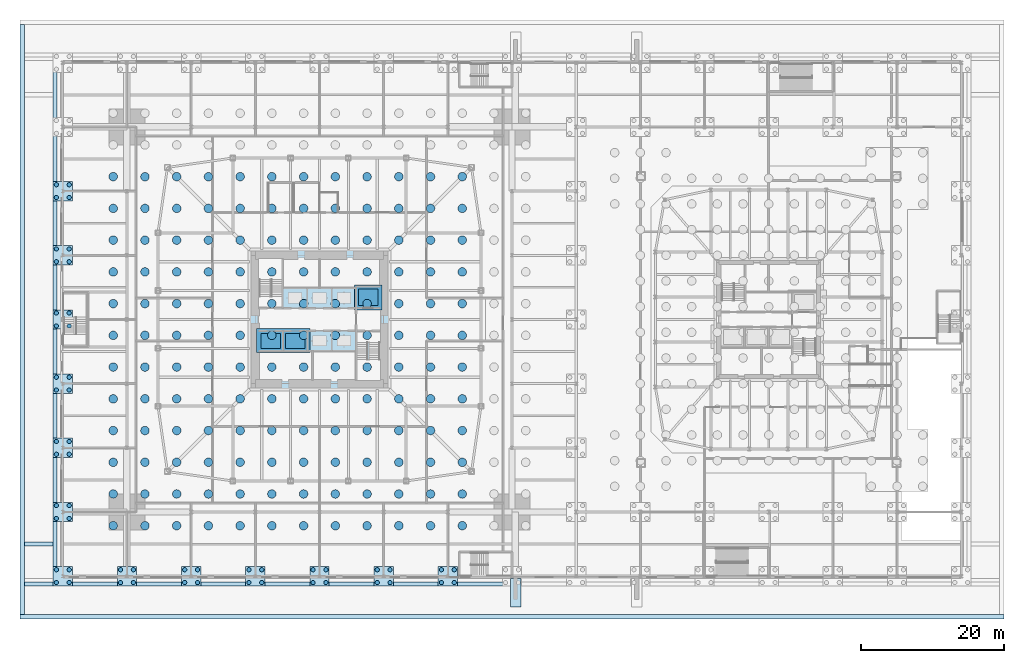
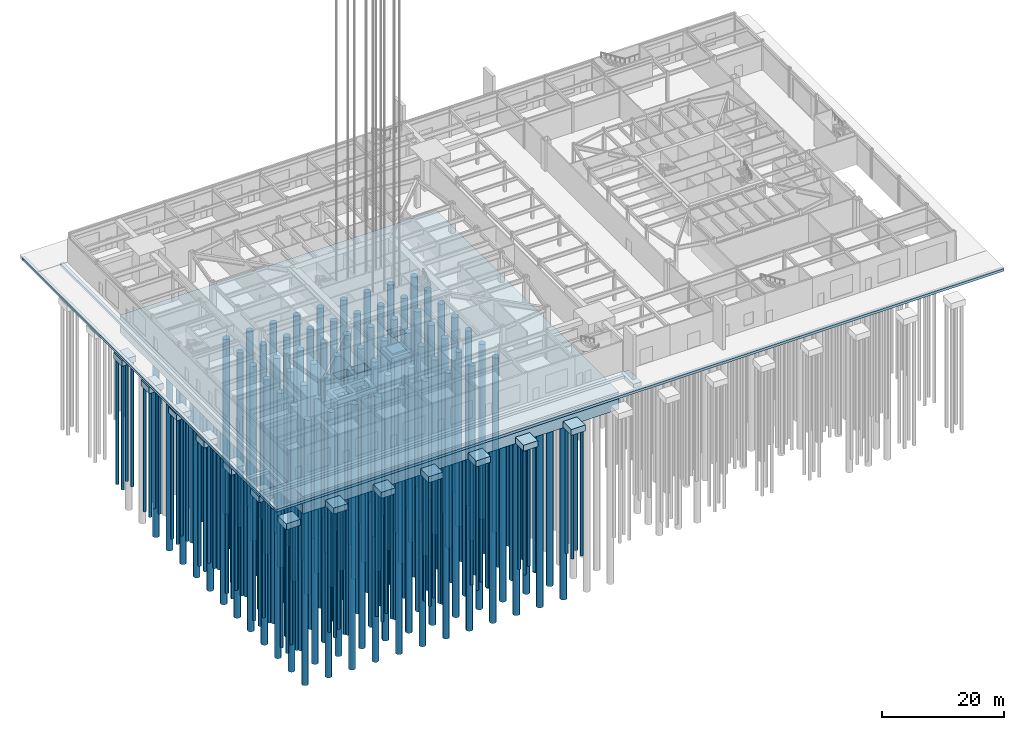
# One storey, part 1 of 37: 196 piles, 25 footings.
"""IFC4 building model written with IfcOpenShell, lengths in metres."""

from ifc_helpers import new_model, si_unit, direction, frame, origin, origin_2d, place, context, subcontext, project, spatial, polyline, rectangle, circle, outline, extrude, material, material_profile, profile_set, type_object, element, save


model = new_model("IFC4")

# Units and contexts
model_context = context("Model", 3, precision=1e-05, world=origin(), true_north=direction((0.0, 1.0)))
body_context = subcontext(model_context, "Body", "Model", "MODEL_VIEW")
ifc_project = project(units=[si_unit("LENGTHUNIT", "METRE"), si_unit("AREAUNIT", "SQUARE_METRE"), si_unit("VOLUMEUNIT", "CUBIC_METRE"), si_unit("PLANEANGLEUNIT", "RADIAN"), si_unit("MASSUNIT", "GRAM", prefix="KILO")], contexts=[model_context])

# Site, building, storey
site_placement = place(None, origin())
site = spatial("IfcSite", under=ifc_project, at=site_placement, CompositionType="ELEMENT")
building_placement = place(site_placement, origin())
building = spatial("IfcBuilding", under=site, at=building_placement, Name="Iwan Alto Co-Living Towers", CompositionType="ELEMENT")
storey_placement = place(building_placement, origin())
storey = spatial("IfcBuildingStorey", under=building, at=storey_placement, Name="L00", CompositionType="ELEMENT", Elevation=0.0)

# Piles
ifc_material_1 = material(Name="Concrete f'c 35 MPa", Category="concrete")
ifc_material_profile_1 = material_profile(ifc_material_1, circle(Radius=0.60009765625, at=origin_2d()), Name="D1200")
ifc_profile_set_1 = profile_set([ifc_material_profile_1], Name="Concrete f'c 35 MPa")
pile_type_1 = type_object("IfcPileType", Name="BORED PILE D1200", PredefinedType="BORED", material=ifc_profile_set_1)
for number, where, z_axis, x_axis, name in (
    (1, (-28.925048828125, -28.925048828125, -12.5), (0.0, 0.0, -1.0), (1.0, 0.0, 0.0), "T1 raft pile 1-1"),
    (2, (-28.925048828125, -24.47509765625, -12.5), (0.0, 0.0, -1.0), (1.0, 0.0, 0.0), "T1 raft pile 1-2"),
    (3, (-28.925048828125, -20.02490234375, -12.5), (0.0, 0.0, -1.0), (1.0, 0.0, 0.0), "T1 raft pile 1-3"),
    (4, (-28.925048828125, -15.574951171875, -12.5), (0.0, 0.0, -1.0), (1.0, 0.0, 0.0), "T1 raft pile 1-4"),
    (5, (-28.925048828125, -11.125, -12.5), (0.0, 0.0, -1.0), (1.0, 0.0, 0.0), "T1 raft pile 1-5"),
    (6, (-28.925048828125, -6.675048828125, -12.5), (0.0, 0.0, -1.0), (1.0, 0.0, 0.0), "T1 raft pile 1-6"),
    (7, (-28.925048828125, -2.22509765625, -12.5), (0.0, 0.0, -1.0), (1.0, 0.0, 0.0), "T1 raft pile 1-7"),
    (8, (-28.925048828125, 2.22509765625, -12.5), (0.0, 0.0, -1.0), (1.0, 0.0, 0.0), "T1 raft pile 1-8"),
    (9, (-28.925048828125, 6.675048828125, -12.5), (0.0, 0.0, -1.0), (1.0, 0.0, 0.0), "T1 raft pile 1-9"),
    (10, (-28.925048828125, 11.125, -12.5), (0.0, 0.0, -1.0), (1.0, 0.0, 0.0), "T1 raft pile 1-10"),
    (11, (-28.925048828125, 15.574951171875, -12.5), (0.0, 0.0, -1.0), (1.0, 0.0, 0.0), "T1 raft pile 1-11"),
    (12, (-28.925048828125, 20.02490234375, -12.5), (0.0, 0.0, -1.0), (1.0, 0.0, 0.0), "T1 raft pile 1-12"),
    (13, (-24.47509765625, -28.925048828125, -12.5), (0.0, 0.0, -1.0), (1.0, 0.0, 0.0), "T1 raft pile 2-1"),
    (14, (-24.47509765625, -24.47509765625, -12.5), (0.0, 0.0, -1.0), (1.0, 0.0, 0.0), "T1 raft pile 2-2"),
    (15, (-24.47509765625, -20.02490234375, -12.5), (0.0, 0.0, -1.0), (1.0, 0.0, 0.0), "T1 raft pile 2-3"),
    (16, (-24.47509765625, -15.574951171875, -12.5), (0.0, 0.0, -1.0), (1.0, 0.0, 0.0), "T1 raft pile 2-4"),
    (17, (-24.47509765625, -11.125, -12.5), (0.0, 0.0, -1.0), (1.0, 0.0, 0.0), "T1 raft pile 2-5"),
    (18, (-24.47509765625, -6.675048828125, -12.5), (0.0, 0.0, -1.0), (1.0, 0.0, 0.0), "T1 raft pile 2-6"),
    (19, (-24.47509765625, -2.22509765625, -12.5), (0.0, 0.0, -1.0), (1.0, 0.0, 0.0), "T1 raft pile 2-7"),
    (20, (-24.47509765625, 2.22509765625, -12.5), (0.0, 0.0, -1.0), (1.0, 0.0, 0.0), "T1 raft pile 2-8"),
    (21, (-24.47509765625, 6.675048828125, -12.5), (0.0, 0.0, -1.0), (1.0, 0.0, 0.0), "T1 raft pile 2-9"),
    (22, (-24.47509765625, 11.125, -12.5), (0.0, 0.0, -1.0), (1.0, 0.0, 0.0), "T1 raft pile 2-10"),
    (23, (-24.47509765625, 15.574951171875, -12.5), (0.0, 0.0, -1.0), (1.0, 0.0, 0.0), "T1 raft pile 2-11"),
    (24, (-24.47509765625, 20.02490234375, -12.5), (0.0, 0.0, -1.0), (1.0, 0.0, 0.0), "T1 raft pile 2-12"),
    (25, (-20.02490234375, -28.925048828125, -12.5), (0.0, 0.0, -1.0), (1.0, 0.0, 0.0), "T1 raft pile 3-1"),
    (26, (-20.02490234375, -24.47509765625, -12.5), (0.0, 0.0, -1.0), (1.0, 0.0, 0.0), "T1 raft pile 3-2"),
    (27, (-20.02490234375, -20.02490234375, -12.5), (0.0, 0.0, -1.0), (1.0, 0.0, 0.0), "T1 raft pile 3-3"),
    (28, (-20.02490234375, -15.574951171875, -12.5), (0.0, 0.0, -1.0), (1.0, 0.0, 0.0), "T1 raft pile 3-4"),
    (29, (-20.02490234375, -11.125, -12.5), (0.0, 0.0, -1.0), (1.0, 0.0, 0.0), "T1 raft pile 3-5"),
    (30, (-20.02490234375, -6.675048828125, -12.5), (0.0, 0.0, -1.0), (1.0, 0.0, 0.0), "T1 raft pile 3-6"),
    (31, (-20.02490234375, -2.22509765625, -12.5), (0.0, 0.0, -1.0), (1.0, 0.0, 0.0), "T1 raft pile 3-7"),
    (32, (-20.02490234375, 2.22509765625, -12.5), (0.0, 0.0, -1.0), (1.0, 0.0, 0.0), "T1 raft pile 3-8"),
    (33, (-20.02490234375, 6.675048828125, -12.5), (0.0, 0.0, -1.0), (1.0, 0.0, 0.0), "T1 raft pile 3-9"),
    (34, (-20.02490234375, 11.125, -12.5), (0.0, 0.0, -1.0), (1.0, 0.0, 0.0), "T1 raft pile 3-10"),
    (35, (-20.02490234375, 15.574951171875, -12.5), (0.0, 0.0, -1.0), (1.0, 0.0, 0.0), "T1 raft pile 3-11"),
    (36, (-20.02490234375, 20.02490234375, -12.5), (0.0, 0.0, -1.0), (1.0, 0.0, 0.0), "T1 raft pile 3-12"),
    (37, (-15.574951171875, -28.925048828125, -12.5), (0.0, 0.0, -1.0), (1.0, 0.0, 0.0), "T1 raft pile 4-1"),
    (38, (-15.574951171875, -24.47509765625, -12.5), (0.0, 0.0, -1.0), (1.0, 0.0, 0.0), "T1 raft pile 4-2"),
    (39, (-15.574951171875, -20.02490234375, -12.5), (0.0, 0.0, -1.0), (1.0, 0.0, 0.0), "T1 raft pile 4-3"),
    (40, (-15.574951171875, -15.574951171875, -12.5), (0.0, 0.0, -1.0), (1.0, 0.0, 0.0), "T1 raft pile 4-4"),
    (41, (-15.574951171875, -11.125, -12.5), (0.0, 0.0, -1.0), (1.0, 0.0, 0.0), "T1 raft pile 4-5"),
    (42, (-15.574951171875, -6.675048828125, -12.5), (0.0, 0.0, -1.0), (1.0, 0.0, 0.0), "T1 raft pile 4-6"),
    (43, (-15.574951171875, -2.22509765625, -12.5), (0.0, 0.0, -1.0), (1.0, 0.0, 0.0), "T1 raft pile 4-7"),
    (44, (-15.574951171875, 2.22509765625, -12.5), (0.0, 0.0, -1.0), (1.0, 0.0, 0.0), "T1 raft pile 4-8"),
    (45, (-15.574951171875, 6.675048828125, -12.5), (0.0, 0.0, -1.0), (1.0, 0.0, 0.0), "T1 raft pile 4-9"),
    (46, (-15.574951171875, 11.125, -12.5), (0.0, 0.0, -1.0), (1.0, 0.0, 0.0), "T1 raft pile 4-10"),
    (47, (-15.574951171875, 15.574951171875, -12.5), (0.0, 0.0, -1.0), (1.0, 0.0, 0.0), "T1 raft pile 4-11"),
    (48, (-15.574951171875, 20.02490234375, -12.5), (0.0, 0.0, -1.0), (1.0, 0.0, 0.0), "T1 raft pile 4-12"),
    (49, (-11.125, -28.925048828125, -12.5), (0.0, 0.0, -1.0), (1.0, 0.0, 0.0), "T1 raft pile 5-1"),
    (50, (-11.125, -24.47509765625, -12.5), (0.0, 0.0, -1.0), (1.0, 0.0, 0.0), "T1 raft pile 5-2"),
    (51, (-11.125, -20.02490234375, -12.5), (0.0, 0.0, -1.0), (1.0, 0.0, 0.0), "T1 raft pile 5-3"),
    (52, (-11.125, -15.574951171875, -12.5), (0.0, 0.0, -1.0), (1.0, 0.0, 0.0), "T1 raft pile 5-4"),
    (53, (-11.125, -11.125, -12.5), (0.0, 0.0, -1.0), (1.0, 0.0, 0.0), "T1 raft pile 5-5"),
    (54, (-11.125, -6.675048828125, -12.5), (0.0, 0.0, -1.0), (1.0, 0.0, 0.0), "T1 raft pile 5-6"),
    (55, (-11.125, -2.22509765625, -12.5), (0.0, 0.0, -1.0), (1.0, 0.0, 0.0), "T1 raft pile 5-7"),
    (56, (-11.125, 2.22509765625, -12.5), (0.0, 0.0, -1.0), (1.0, 0.0, 0.0), "T1 raft pile 5-8"),
    (57, (-11.125, 6.675048828125, -12.5), (0.0, 0.0, -1.0), (1.0, 0.0, 0.0), "T1 raft pile 5-9"),
    (58, (-11.125, 11.125, -12.5), (0.0, 0.0, -1.0), (1.0, 0.0, 0.0), "T1 raft pile 5-10"),
    (59, (-11.125, 15.574951171875, -12.5), (0.0, 0.0, -1.0), (1.0, 0.0, 0.0), "T1 raft pile 5-11"),
    (60, (-11.125, 20.02490234375, -12.5), (0.0, 0.0, -1.0), (1.0, 0.0, 0.0), "T1 raft pile 5-12"),
    (61, (-6.675048828125, -28.925048828125, -12.5), (0.0, 0.0, -1.0), (1.0, 0.0, 0.0), "T1 raft pile 6-1"),
    (62, (-6.675048828125, -24.47509765625, -12.5), (0.0, 0.0, -1.0), (1.0, 0.0, 0.0), "T1 raft pile 6-2"),
    (63, (-6.675048828125, -20.02490234375, -12.5), (0.0, 0.0, -1.0), (1.0, 0.0, 0.0), "T1 raft pile 6-3"),
    (64, (-6.675048828125, -15.574951171875, -12.5), (0.0, 0.0, -1.0), (1.0, 0.0, 0.0), "T1 raft pile 6-4"),
    (65, (-6.675048828125, -11.125, -12.5), (0.0, 0.0, -1.0), (1.0, 0.0, 0.0), "T1 raft pile 6-5"),
    (66, (-6.675048828125, -6.675048828125, -12.5), (0.0, 0.0, -1.0), (1.0, 0.0, 0.0), "T1 raft pile 6-6"),
    (67, (-6.675048828125, -2.22509765625, -13.449951171875), (0.0, 0.0, -1.0), (1.0, 0.0, 0.0), "T1 raft pile 6-7"),
    (68, (-6.675048828125, 2.22509765625, -12.5), (0.0, 0.0, -1.0), (1.0, 0.0, 0.0), "T1 raft pile 6-8"),
    (69, (-6.675048828125, 6.675048828125, -12.5), (0.0, 0.0, -1.0), (1.0, 0.0, 0.0), "T1 raft pile 6-9"),
    (70, (-6.675048828125, 11.125, -12.5), (0.0, 0.0, -1.0), (1.0, 0.0, 0.0), "T1 raft pile 6-10"),
    (71, (-6.675048828125, 15.574951171875, -12.5), (0.0, 0.0, -1.0), (1.0, 0.0, 0.0), "T1 raft pile 6-11"),
    (72, (-6.675048828125, 20.02490234375, -12.5), (0.0, 0.0, -1.0), (1.0, 0.0, 0.0), "T1 raft pile 6-12"),
    (73, (-2.22509765625, -28.925048828125, -12.5), (0.0, 0.0, -1.0), (1.0, 0.0, 0.0), "T1 raft pile 7-1"),
    (74, (-2.22509765625, -24.47509765625, -12.5), (0.0, 0.0, -1.0), (1.0, 0.0, 0.0), "T1 raft pile 7-2"),
    (75, (-2.22509765625, -20.02490234375, -12.5), (0.0, 0.0, -1.0), (1.0, 0.0, 0.0), "T1 raft pile 7-3"),
    (76, (-2.22509765625, -15.574951171875, -12.5), (0.0, 0.0, -1.0), (1.0, 0.0, 0.0), "T1 raft pile 7-4"),
    (77, (-2.22509765625, -11.125, -12.5), (0.0, 0.0, -1.0), (1.0, 0.0, 0.0), "T1 raft pile 7-5"),
    (78, (-2.22509765625, -6.675048828125, -12.5), (0.0, 0.0, -1.0), (1.0, 0.0, 0.0), "T1 raft pile 7-6"),
    (79, (-2.22509765625, -2.22509765625, -13.449951171875), (0.0, 0.0, -1.0), (1.0, 0.0, 0.0), "T1 raft pile 7-7"),
    (80, (-2.22509765625, 2.22509765625, -12.5), (0.0, 0.0, -1.0), (1.0, 0.0, 0.0), "T1 raft pile 7-8"),
    (81, (-2.22509765625, 6.675048828125, -12.5), (0.0, 0.0, -1.0), (1.0, 0.0, 0.0), "T1 raft pile 7-9"),
    (82, (-2.22509765625, 11.125, -12.5), (0.0, 0.0, -1.0), (1.0, 0.0, 0.0), "T1 raft pile 7-10"),
    (83, (-2.22509765625, 15.574951171875, -12.5), (0.0, 0.0, -1.0), (1.0, 0.0, 0.0), "T1 raft pile 7-11"),
    (84, (-2.22509765625, 20.02490234375, -12.5), (0.0, 0.0, -1.0), (1.0, 0.0, 0.0), "T1 raft pile 7-12"),
    (85, (2.22509765625, -28.925048828125, -12.5), (0.0, 0.0, -1.0), (1.0, 0.0, 0.0), "T1 raft pile 8-1"),
    (86, (2.22509765625, -24.47509765625, -12.5), (0.0, 0.0, -1.0), (1.0, 0.0, 0.0), "T1 raft pile 8-2"),
    (87, (2.22509765625, -20.02490234375, -12.5), (0.0, 0.0, -1.0), (1.0, 0.0, 0.0), "T1 raft pile 8-3"),
    (88, (2.22509765625, -15.574951171875, -12.5), (0.0, 0.0, -1.0), (1.0, 0.0, 0.0), "T1 raft pile 8-4"),
    (89, (2.22509765625, -11.125, -12.5), (0.0, 0.0, -1.0), (1.0, 0.0, 0.0), "T1 raft pile 8-5"),
    (90, (2.22509765625, -6.675048828125, -12.5), (0.0, 0.0, -1.0), (1.0, 0.0, 0.0), "T1 raft pile 8-6"),
    (91, (2.22509765625, -2.22509765625, -12.5), (0.0, 0.0, -1.0), (1.0, 0.0, 0.0), "T1 raft pile 8-7"),
    (92, (2.22509765625, 2.22509765625, -12.5), (0.0, 0.0, -1.0), (1.0, 0.0, 0.0), "T1 raft pile 8-8"),
    (93, (2.22509765625, 6.675048828125, -12.5), (0.0, 0.0, -1.0), (1.0, 0.0, 0.0), "T1 raft pile 8-9"),
    (94, (2.22509765625, 11.125, -12.5), (0.0, 0.0, -1.0), (1.0, 0.0, 0.0), "T1 raft pile 8-10"),
    (95, (2.22509765625, 15.574951171875, -12.5), (0.0, 0.0, -1.0), (1.0, 0.0, 0.0), "T1 raft pile 8-11"),
    (96, (2.22509765625, 20.02490234375, -12.5), (0.0, 0.0, -1.0), (1.0, 0.0, 0.0), "T1 raft pile 8-12"),
    (97, (6.675048828125, -28.925048828125, -12.5), (0.0, 0.0, -1.0), (1.0, 0.0, 0.0), "T1 raft pile 9-1"),
    (98, (6.675048828125, -24.47509765625, -12.5), (0.0, 0.0, -1.0), (1.0, 0.0, 0.0), "T1 raft pile 9-2"),
    (99, (6.675048828125, -20.02490234375, -12.5), (0.0, 0.0, -1.0), (1.0, 0.0, 0.0), "T1 raft pile 9-3"),
    (100, (6.675048828125, -15.574951171875, -12.5), (0.0, 0.0, -1.0), (1.0, 0.0, 0.0), "T1 raft pile 9-4"),
    (101, (6.675048828125, -11.125, -12.5), (0.0, 0.0, -1.0), (1.0, 0.0, 0.0), "T1 raft pile 9-5"),
    (102, (6.675048828125, -6.675048828125, -12.5), (0.0, 0.0, -1.0), (1.0, 0.0, 0.0), "T1 raft pile 9-6"),
    (103, (6.675048828125, -2.22509765625, -12.5), (0.0, 0.0, -1.0), (1.0, 0.0, 0.0), "T1 raft pile 9-7"),
    (104, (6.675048828125, 2.22509765625, -13.449951171875), (0.0, 0.0, -1.0), (1.0, 0.0, 0.0), "T1 raft pile 9-8"),
    (105, (6.675048828125, 6.675048828125, -12.5), (0.0, 0.0, -1.0), (1.0, 0.0, 0.0), "T1 raft pile 9-9"),
    (106, (6.675048828125, 11.125, -12.5), (0.0, 0.0, -1.0), (1.0, 0.0, 0.0), "T1 raft pile 9-10"),
    (107, (6.675048828125, 15.574951171875, -12.5), (0.0, 0.0, -1.0), (1.0, 0.0, 0.0), "T1 raft pile 9-11"),
    (108, (6.675048828125, 20.02490234375, -12.5), (0.0, 0.0, -1.0), (1.0, 0.0, 0.0), "T1 raft pile 9-12"),
    (109, (11.125, -28.925048828125, -12.5), (0.0, 0.0, -1.0), (1.0, 0.0, 0.0), "T1 raft pile 10-1"),
    (110, (11.125, -24.47509765625, -12.5), (0.0, 0.0, -1.0), (1.0, 0.0, 0.0), "T1 raft pile 10-2"),
    (111, (11.125, -20.02490234375, -12.5), (0.0, 0.0, -1.0), (1.0, 0.0, 0.0), "T1 raft pile 10-3"),
    (112, (11.125, -15.574951171875, -12.5), (0.0, 0.0, -1.0), (1.0, 0.0, 0.0), "T1 raft pile 10-4"),
    (113, (11.125, -11.125, -12.5), (0.0, 0.0, -1.0), (1.0, 0.0, 0.0), "T1 raft pile 10-5"),
    (114, (11.125, -6.675048828125, -12.5), (0.0, 0.0, -1.0), (1.0, 0.0, 0.0), "T1 raft pile 10-6"),
    (115, (11.125, -2.22509765625, -12.5), (0.0, 0.0, -1.0), (1.0, 0.0, 0.0), "T1 raft pile 10-7"),
    (116, (11.125, 2.22509765625, -12.5), (0.0, 0.0, -1.0), (1.0, 0.0, 0.0), "T1 raft pile 10-8"),
    (117, (11.125, 6.675048828125, -12.5), (0.0, 0.0, -1.0), (1.0, 0.0, 0.0), "T1 raft pile 10-9"),
    (118, (11.125, 11.125, -12.5), (0.0, 0.0, -1.0), (1.0, 0.0, 0.0), "T1 raft pile 10-10"),
    (119, (11.125, 15.574951171875, -12.5), (0.0, 0.0, -1.0), (1.0, 0.0, 0.0), "T1 raft pile 10-11"),
    (120, (11.125, 20.02490234375, -12.5), (0.0, 0.0, -1.0), (1.0, 0.0, 0.0), "T1 raft pile 10-12"),
    (121, (15.574951171875, -28.925048828125, -12.5), (0.0, 0.0, -1.0), (1.0, 0.0, 0.0), "T1 raft pile 11-1"),
    (122, (15.574951171875, -24.47509765625, -12.5), (0.0, 0.0, -1.0), (1.0, 0.0, 0.0), "T1 raft pile 11-2"),
    (123, (15.574951171875, -20.02490234375, -12.5), (0.0, 0.0, -1.0), (1.0, 0.0, 0.0), "T1 raft pile 11-3"),
    (124, (15.574951171875, -15.574951171875, -12.5), (0.0, 0.0, -1.0), (1.0, 0.0, 0.0), "T1 raft pile 11-4"),
    (125, (15.574951171875, -11.125, -12.5), (0.0, 0.0, -1.0), (1.0, 0.0, 0.0), "T1 raft pile 11-5"),
    (126, (15.574951171875, -6.675048828125, -12.5), (0.0, 0.0, -1.0), (1.0, 0.0, 0.0), "T1 raft pile 11-6"),
    (127, (15.574951171875, -2.22509765625, -12.5), (0.0, 0.0, -1.0), (1.0, 0.0, 0.0), "T1 raft pile 11-7"),
    (128, (15.574951171875, 2.22509765625, -12.5), (0.0, 0.0, -1.0), (1.0, 0.0, 0.0), "T1 raft pile 11-8"),
    (129, (15.574951171875, 6.675048828125, -12.5), (0.0, 0.0, -1.0), (1.0, 0.0, 0.0), "T1 raft pile 11-9"),
    (130, (15.574951171875, 11.125, -12.5), (0.0, 0.0, -1.0), (1.0, 0.0, 0.0), "T1 raft pile 11-10"),
    (131, (15.574951171875, 15.574951171875, -12.5), (0.0, 0.0, -1.0), (1.0, 0.0, 0.0), "T1 raft pile 11-11"),
    (132, (15.574951171875, 20.02490234375, -12.5), (0.0, 0.0, -1.0), (1.0, 0.0, 0.0), "T1 raft pile 11-12"),
    (133, (20.02490234375, -28.925048828125, -12.5), (0.0, 0.0, -1.0), (1.0, 0.0, 0.0), "T1 raft pile 12-1"),
    (134, (20.02490234375, -24.47509765625, -12.5), (0.0, 0.0, -1.0), (1.0, 0.0, 0.0), "T1 raft pile 12-2"),
    (135, (20.02490234375, -20.02490234375, -12.5), (0.0, 0.0, -1.0), (1.0, 0.0, 0.0), "T1 raft pile 12-3"),
    (136, (20.02490234375, -15.574951171875, -12.5), (0.0, 0.0, -1.0), (1.0, 0.0, 0.0), "T1 raft pile 12-4"),
    (137, (20.02490234375, -11.125, -12.5), (0.0, 0.0, -1.0), (1.0, 0.0, 0.0), "T1 raft pile 12-5"),
    (138, (20.02490234375, -6.675048828125, -12.5), (0.0, 0.0, -1.0), (1.0, 0.0, 0.0), "T1 raft pile 12-6"),
    (139, (20.02490234375, -2.22509765625, -12.5), (0.0, 0.0, -1.0), (1.0, 0.0, 0.0), "T1 raft pile 12-7"),
    (140, (20.02490234375, 2.22509765625, -12.5), (0.0, 0.0, -1.0), (1.0, 0.0, 0.0), "T1 raft pile 12-8"),
    (141, (20.02490234375, 6.675048828125, -12.5), (0.0, 0.0, -1.0), (1.0, 0.0, 0.0), "T1 raft pile 12-9"),
    (142, (20.02490234375, 11.125, -12.5), (0.0, 0.0, -1.0), (1.0, 0.0, 0.0), "T1 raft pile 12-10"),
    (143, (20.02490234375, 15.574951171875, -12.5), (0.0, 0.0, -1.0), (1.0, 0.0, 0.0), "T1 raft pile 12-11"),
    (144, (20.02490234375, 20.02490234375, -12.5), (0.0, 0.0, -1.0), (1.0, 0.0, 0.0), "T1 raft pile 12-12"),
):
    element("IfcPile", number, at=place(storey_placement, frame(where, z_axis=z_axis, x_axis=x_axis)), inside=storey, type_object=pile_type_1, Name=name, PredefinedType="BORED", context=body_context, shape_type="SweptSolid", body=[
        extrude(circle(Radius=0.60009765625, at=origin_2d()), origin(), (0.0, 0.0, 1.0), 35.0),
    ])
ifc_material_2 = material(Name="Concrete f'c 35 MPa", Category="concrete")
ifc_material_profile_2 = material_profile(ifc_material_2, circle(Radius=0.300048828125, at=origin_2d()), Name="D600")
ifc_profile_set_2 = profile_set([ifc_material_profile_2], Name="Concrete f'c 35 MPa")
pile_type_2 = type_object("IfcPileType", Name="BORED PILE D600", PredefinedType="BORED", material=ifc_profile_set_2)
for number, where, z_axis, x_axis, name in (
    (145, (-36.89990234375, -36.89990234375, -8.64990234375), (0.0, 0.0, -1.0), (1.0, 0.0, 0.0), "Pile 1/A/1"),
    (146, (-35.10009765625, -36.89990234375, -8.64990234375), (0.0, 0.0, -1.0), (1.0, 0.0, 0.0), "Pile 1/A/2"),
    (147, (-35.10009765625, -35.10009765625, -8.64990234375), (0.0, 0.0, -1.0), (1.0, 0.0, 0.0), "Pile 1/A/3"),
    (148, (-36.89990234375, -35.10009765625, -8.64990234375), (0.0, 0.0, -1.0), (1.0, 0.0, 0.0), "Pile 1/A/4"),
    (149, (-36.89990234375, -27.89990234375, -8.64990234375), (0.0, 0.0, -1.0), (1.0, 0.0, 0.0), "Pile 1/B/1"),
    (150, (-35.10009765625, -27.89990234375, -8.64990234375), (0.0, 0.0, -1.0), (1.0, 0.0, 0.0), "Pile 1/B/2"),
    (151, (-35.10009765625, -26.10009765625, -8.64990234375), (0.0, 0.0, -1.0), (1.0, 0.0, 0.0), "Pile 1/B/3"),
    (152, (-36.89990234375, -26.10009765625, -8.64990234375), (0.0, 0.0, -1.0), (1.0, 0.0, 0.0), "Pile 1/B/4"),
    (153, (-36.89990234375, -18.89990234375, -8.64990234375), (0.0, 0.0, -1.0), (1.0, 0.0, 0.0), "Pile 1/C/1"),
    (154, (-35.10009765625, -18.89990234375, -8.64990234375), (0.0, 0.0, -1.0), (1.0, 0.0, 0.0), "Pile 1/C/2"),
    (155, (-35.10009765625, -17.10009765625, -8.64990234375), (0.0, 0.0, -1.0), (1.0, 0.0, 0.0), "Pile 1/C/3"),
    (156, (-36.89990234375, -17.10009765625, -8.64990234375), (0.0, 0.0, -1.0), (1.0, 0.0, 0.0), "Pile 1/C/4"),
    (157, (-36.89990234375, -9.89990234375, -8.64990234375), (0.0, 0.0, -1.0), (1.0, 0.0, 0.0), "Pile 1/D/1"),
    (158, (-35.10009765625, -9.89990234375, -8.64990234375), (0.0, 0.0, -1.0), (1.0, 0.0, 0.0), "Pile 1/D/2"),
    (159, (-35.10009765625, -8.10009765625, -8.64990234375), (0.0, 0.0, -1.0), (1.0, 0.0, 0.0), "Pile 1/D/3"),
    (160, (-36.89990234375, -8.10009765625, -8.64990234375), (0.0, 0.0, -1.0), (1.0, 0.0, 0.0), "Pile 1/D/4"),
    (161, (-36.89990234375, -0.89990234375, -8.64990234375), (0.0, 0.0, -1.0), (1.0, 0.0, 0.0), "Pile 1/E/1"),
    (162, (-35.10009765625, -0.89990234375, -8.64990234375), (0.0, 0.0, -1.0), (1.0, 0.0, 0.0), "Pile 1/E/2"),
    (163, (-35.10009765625, 0.89990234375, -8.64990234375), (0.0, 0.0, -1.0), (1.0, 0.0, 0.0), "Pile 1/E/3"),
    (164, (-36.89990234375, 0.89990234375, -8.64990234375), (0.0, 0.0, -1.0), (1.0, 0.0, 0.0), "Pile 1/E/4"),
    (165, (-36.89990234375, 8.10009765625, -8.64990234375), (0.0, 0.0, -1.0), (1.0, 0.0, 0.0), "Pile 1/F/1"),
    (166, (-35.10009765625, 8.10009765625, -8.64990234375), (0.0, 0.0, -1.0), (1.0, 0.0, 0.0), "Pile 1/F/2"),
    (167, (-35.10009765625, 9.89990234375, -8.64990234375), (0.0, 0.0, -1.0), (1.0, 0.0, 0.0), "Pile 1/F/3"),
    (168, (-36.89990234375, 9.89990234375, -8.64990234375), (0.0, 0.0, -1.0), (1.0, 0.0, 0.0), "Pile 1/F/4"),
    (169, (-36.89990234375, 17.10009765625, -8.64990234375), (0.0, 0.0, -1.0), (1.0, 0.0, 0.0), "Pile 1/G/1"),
    (170, (-35.10009765625, 17.10009765625, -8.64990234375), (0.0, 0.0, -1.0), (1.0, 0.0, 0.0), "Pile 1/G/2"),
    (171, (-35.10009765625, 18.89990234375, -8.64990234375), (0.0, 0.0, -1.0), (1.0, 0.0, 0.0), "Pile 1/G/3"),
    (172, (-36.89990234375, 18.89990234375, -8.64990234375), (0.0, 0.0, -1.0), (1.0, 0.0, 0.0), "Pile 1/G/4"),
    (173, (-27.89990234375, -36.89990234375, -8.64990234375), (0.0, 0.0, -1.0), (1.0, 0.0, 0.0), "Pile 2/A/1"),
    (174, (-26.10009765625, -36.89990234375, -8.64990234375), (0.0, 0.0, -1.0), (1.0, 0.0, 0.0), "Pile 2/A/2"),
    (175, (-26.10009765625, -35.10009765625, -8.64990234375), (0.0, 0.0, -1.0), (1.0, 0.0, 0.0), "Pile 2/A/3"),
    (176, (-27.89990234375, -35.10009765625, -8.64990234375), (0.0, 0.0, -1.0), (1.0, 0.0, 0.0), "Pile 2/A/4"),
    (177, (-18.89990234375, -36.89990234375, -8.64990234375), (0.0, 0.0, -1.0), (1.0, 0.0, 0.0), "Pile 3/A/1"),
    (178, (-17.10009765625, -36.89990234375, -8.64990234375), (0.0, 0.0, -1.0), (1.0, 0.0, 0.0), "Pile 3/A/2"),
    (179, (-17.10009765625, -35.10009765625, -8.64990234375), (0.0, 0.0, -1.0), (1.0, 0.0, 0.0), "Pile 3/A/3"),
    (180, (-18.89990234375, -35.10009765625, -8.64990234375), (0.0, 0.0, -1.0), (1.0, 0.0, 0.0), "Pile 3/A/4"),
    (181, (-9.89990234375, -36.89990234375, -8.64990234375), (0.0, 0.0, -1.0), (1.0, 0.0, 0.0), "Pile 4/A/1"),
    (182, (-8.10009765625, -36.89990234375, -8.64990234375), (0.0, 0.0, -1.0), (1.0, 0.0, 0.0), "Pile 4/A/2"),
    (183, (-8.10009765625, -35.10009765625, -8.64990234375), (0.0, 0.0, -1.0), (1.0, 0.0, 0.0), "Pile 4/A/3"),
    (184, (-9.89990234375, -35.10009765625, -8.64990234375), (0.0, 0.0, -1.0), (1.0, 0.0, 0.0), "Pile 4/A/4"),
    (185, (-0.89990234375, -36.89990234375, -8.64990234375), (0.0, 0.0, -1.0), (1.0, 0.0, 0.0), "Pile 5/A/1"),
    (186, (0.89990234375, -36.89990234375, -8.64990234375), (0.0, 0.0, -1.0), (1.0, 0.0, 0.0), "Pile 5/A/2"),
    (187, (0.89990234375, -35.10009765625, -8.64990234375), (0.0, 0.0, -1.0), (1.0, 0.0, 0.0), "Pile 5/A/3"),
    (188, (-0.89990234375, -35.10009765625, -8.64990234375), (0.0, 0.0, -1.0), (1.0, 0.0, 0.0), "Pile 5/A/4"),
    (189, (8.10009765625, -36.89990234375, -8.64990234375), (0.0, 0.0, -1.0), (1.0, 0.0, 0.0), "Pile 6/A/1"),
    (190, (9.89990234375, -36.89990234375, -8.64990234375), (0.0, 0.0, -1.0), (1.0, 0.0, 0.0), "Pile 6/A/2"),
    (191, (9.89990234375, -35.10009765625, -8.64990234375), (0.0, 0.0, -1.0), (1.0, 0.0, 0.0), "Pile 6/A/3"),
    (192, (8.10009765625, -35.10009765625, -8.64990234375), (0.0, 0.0, -1.0), (1.0, 0.0, 0.0), "Pile 6/A/4"),
    (193, (17.10009765625, -36.89990234375, -8.64990234375), (0.0, 0.0, -1.0), (1.0, 0.0, 0.0), "Pile 7/A/1"),
    (194, (18.89990234375, -36.89990234375, -8.64990234375), (0.0, 0.0, -1.0), (1.0, 0.0, 0.0), "Pile 7/A/2"),
    (195, (18.89990234375, -35.10009765625, -8.64990234375), (0.0, 0.0, -1.0), (1.0, 0.0, 0.0), "Pile 7/A/3"),
    (196, (17.10009765625, -35.10009765625, -8.64990234375), (0.0, 0.0, -1.0), (1.0, 0.0, 0.0), "Pile 7/A/4"),
):
    element("IfcPile", number, at=place(storey_placement, frame(where, z_axis=z_axis, x_axis=x_axis)), inside=storey, type_object=pile_type_2, Name=name, PredefinedType="BORED", context=body_context, shape_type="SweptSolid", body=[
        extrude(circle(Radius=0.300048828125, at=origin_2d()), origin(), (0.0, 0.0, 1.0), 25.0),
    ])

# Footings
ifc_material_3 = material(Name="Concrete f'c 25 MPa", Category="concrete")
footing_type_1 = type_object("IfcFootingType", Name="IWAN PIER FOOTING 1500X4000X800", PredefinedType="PAD_FOOTING", material=ifc_material_3)
footing_1_placement = place(storey_placement, frame((27.505615234375, -38.300048828125, -0.9501953125), z_axis=(0.0, 0.0, 1.0), x_axis=(1.0, 0.0, 0.0)))
element("IfcFooting", 197, at=footing_1_placement, inside=storey, type_object=footing_type_1, Name="Iwan pier footing S 1", PredefinedType="PAD_FOOTING", context=body_context, shape_type="SweptSolid", body=[
    extrude(rectangle(XDim=1.5, YDim=4.0, at=origin_2d()), origin(), (0.0, 0.0, 1.0), 0.800048828125),
])
ifc_material_4 = material(Name="Concrete f'c 35 MPa", Category="concrete")
footing_type_2 = type_object("IfcFootingType", Name="LIFT PIT BASE 2700X2300X1250", PredefinedType="PAD_FOOTING", material=ifc_material_4)
footing_2_placement = place(storey_placement, frame((6.85009765625, 3.10009765625, -13.449951171875), z_axis=(0.0, 0.0, 1.0), x_axis=(1.0, 0.0, 0.0)))
element("IfcFooting", 198, at=footing_2_placement, inside=storey, type_object=footing_type_2, Name="Lift FL1 pit base", PredefinedType="PAD_FOOTING", context=body_context, shape_type="SweptSolid", body=[
    extrude(rectangle(XDim=2.699951171875, YDim=2.300048828125, at=origin_2d()), origin(), (0.0, 0.0, 1.0), 1.25),
])
ifc_material_5 = material(Name="Concrete f'c 35 MPa", Category="concrete")
footing_type_3 = type_object("IfcFootingType", Name="LIFT PIT BASE 2725X2100X2850", PredefinedType="PAD_FOOTING", material=ifc_material_5)
for number, where, z_axis, x_axis, name in (
    (199, (-6.83740234375, -3.0, -13.449951171875), (0.0, 0.0, 1.0), (1.0, 0.0, 0.0), "Lift P1-1 pit base"),
    (200, (-3.41259765625, -3.0, -13.449951171875), (0.0, 0.0, 1.0), (1.0, 0.0, 0.0), "Lift P1-2 pit base"),
):
    element("IfcFooting", number, at=place(storey_placement, frame(where, z_axis=z_axis, x_axis=x_axis)), inside=storey, type_object=footing_type_3, Name=name, PredefinedType="PAD_FOOTING", context=body_context, shape_type="SweptSolid", body=[
        extrude(rectangle(XDim=2.72509765625, YDim=2.10009765625, at=origin_2d()), origin(), (0.0, 0.0, 1.0), 2.85009765625),
    ])
ifc_material_6 = material(Name="Concrete f'c 35 MPa", Category="concrete")
footing_type_4 = type_object("IfcFootingType", Name="LIFT PIT BOX 3900X3550X950", PredefinedType="PILE_CAP", material=ifc_material_6)
footing_3_placement = place(storey_placement, frame((0.0, 0.0, -13.449951171875)))
element("IfcFooting", 201, at=footing_3_placement, inside=storey, type_object=footing_type_4, Name="T1 lift pit box under FL1", PredefinedType="PILE_CAP", context=body_context, shape_type="SweptSolid", body=[
    extrude(outline(polyline([(4.89990234375, 1.300048828125), (8.800048828125, 1.300048828125), (8.800048828125, 4.85009765625), (4.89990234375, 4.85009765625), (4.89990234375, 1.300048828125)]), holes=[polyline([(5.5, 1.949951171875), (8.199951171875, 1.949951171875), (8.199951171875, 4.25), (5.5, 4.25), (5.5, 1.949951171875)])]), origin(), (0.0, 0.0, 1.0), 0.949951171875),
])
ifc_material_7 = material(Name="Concrete f'c 35 MPa", Category="concrete")
footing_type_5 = type_object("IfcFootingType", Name="LIFT PIT BOX 7500X3350X950", PredefinedType="PILE_CAP", material=ifc_material_7)
footing_4_placement = place(storey_placement, frame((0.0, 0.0, -13.449951171875)))
element("IfcFooting", 202, at=footing_4_placement, inside=storey, type_object=footing_type_5, Name="T1 lift pit box under P1-1, P1-2", PredefinedType="PILE_CAP", context=body_context, shape_type="SweptSolid", body=[
    extrude(outline(polyline([(-8.800048828125, -4.64990234375), (-1.300048828125, -4.64990234375), (-1.300048828125, -1.300048828125), (-8.800048828125, -1.300048828125), (-8.800048828125, -4.64990234375)]), holes=[polyline([(-8.199951171875, -4.050048828125), (-5.47509765625, -4.050048828125), (-5.47509765625, -1.949951171875), (-8.199951171875, -1.949951171875), (-8.199951171875, -4.050048828125)]), polyline([(-4.77490234375, -4.050048828125), (-2.050048828125, -4.050048828125), (-2.050048828125, -1.949951171875), (-4.77490234375, -1.949951171875), (-4.77490234375, -4.050048828125)])]), origin(), (0.0, 0.0, 1.0), 0.949951171875),
])
ifc_material_8 = material(Name="Concrete f'c 25 MPa", Category="concrete")
footing_type_6 = type_object("IfcFootingType", Name="PAVING EDGE FOOTING 600X500", PredefinedType="STRIP_FOOTING", material=ifc_material_8)
footing_5_placement = place(storey_placement, frame((27.0, -41.699951171875, -0.64990234375), z_axis=(0.0, 0.0, 1.0), x_axis=(1.0, 0.0, 0.0)))
element("IfcFooting", 203, at=footing_5_placement, inside=storey, type_object=footing_type_6, Name="Paving edge footing S 1.1", PredefinedType="STRIP_FOOTING", context=body_context, shape_type="SweptSolid", body=[
    extrude(rectangle(XDim=138.0, YDim=0.60009765625, at=origin_2d()), origin(), (0.0, 0.0, 1.0), 0.5),
])
footing_6_placement = place(storey_placement, frame((-7.322265625, -37.10009765625, -0.64990234375), z_axis=(0.0, 0.0, 1.0), x_axis=(1.0, 0.0, 0.0)))
element("IfcFooting", 204, at=footing_6_placement, inside=storey, type_object=footing_type_6, Name="Paving edge footing S 2.1", PredefinedType="STRIP_FOOTING", context=body_context, shape_type="SweptSolid", body=[
    extrude(rectangle(XDim=68.15576171875, YDim=0.60009765625, at=origin_2d()), origin(), (0.0, 0.0, 1.0), 0.5),
])
footing_7_placement = place(storey_placement, frame((-41.699951171875, 0.0, -0.64990234375), z_axis=(0.0, 0.0, 1.0), x_axis=(1.0, 0.0, 0.0)))
element("IfcFooting", 205, at=footing_7_placement, inside=storey, type_object=footing_type_6, Name="Paving edge footing W 1.1", PredefinedType="STRIP_FOOTING", context=body_context, shape_type="SweptSolid", body=[
    extrude(rectangle(XDim=0.60009765625, YDim=82.800048828125, at=origin_2d()), origin(), (0.0, 0.0, 1.0), 0.5),
])
footing_8_placement = place(storey_placement, frame((-37.10009765625, 0.0, -0.64990234375), z_axis=(0.0, 0.0, 1.0), x_axis=(1.0, 0.0, 0.0)))
element("IfcFooting", 206, at=footing_8_placement, inside=storey, type_object=footing_type_6, Name="Paving edge footing W 2.1", PredefinedType="STRIP_FOOTING", context=body_context, shape_type="SweptSolid", body=[
    extrude(rectangle(XDim=0.60009765625, YDim=73.60009765625, at=origin_2d()), origin(), (0.0, 0.0, 1.0), 0.5),
])
footing_9_placement = place(storey_placement, frame((-39.39990234375, -31.5, -0.64990234375), z_axis=(0.0, 0.0, 1.0), x_axis=(1.0, 0.0, 0.0)))
element("IfcFooting", 207, at=footing_9_placement, inside=storey, type_object=footing_type_6, Name="Paving tie footing W S", PredefinedType="STRIP_FOOTING", context=body_context, shape_type="SweptSolid", body=[
    extrude(rectangle(XDim=4.0, YDim=0.60009765625, at=origin_2d()), origin(), (0.0, 0.0, 1.0), 0.5),
])
ifc_material_9 = material(Name="Concrete f'c 35 MPa", Category="concrete")
footing_type_7 = type_object("IfcFootingType", Name="PILE CAP 2700X2700X1200", PredefinedType="PILE_CAP", material=ifc_material_9)
for number, where, z_axis, x_axis, name in (
    (208, (-36.0, -36.0, -8.64990234375), (0.0, 0.0, 1.0), (1.0, 0.0, 0.0), "Pile cap 1/A"),
    (209, (-36.0, -27.0, -8.64990234375), (0.0, 0.0, 1.0), (1.0, 0.0, 0.0), "Pile cap 1/B"),
    (210, (-36.0, -18.0, -8.64990234375), (0.0, 0.0, 1.0), (1.0, 0.0, 0.0), "Pile cap 1/C"),
    (211, (-36.0, -9.0, -8.64990234375), (0.0, 0.0, 1.0), (1.0, 0.0, 0.0), "Pile cap 1/D"),
    (212, (-36.0, 0.0, -8.64990234375), (0.0, 0.0, 1.0), (1.0, 0.0, 0.0), "Pile cap 1/E"),
    (213, (-36.0, 9.0, -8.64990234375), (0.0, 0.0, 1.0), (1.0, 0.0, 0.0), "Pile cap 1/F"),
    (214, (-36.0, 18.0, -8.64990234375), (0.0, 0.0, 1.0), (1.0, 0.0, 0.0), "Pile cap 1/G"),
    (215, (-27.0, -36.0, -8.64990234375), (0.0, 0.0, 1.0), (1.0, 0.0, 0.0), "Pile cap 2/A"),
    (216, (-18.0, -36.0, -8.64990234375), (0.0, 0.0, 1.0), (1.0, 0.0, 0.0), "Pile cap 3/A"),
    (217, (-9.0, -36.0, -8.64990234375), (0.0, 0.0, 1.0), (1.0, 0.0, 0.0), "Pile cap 4/A"),
    (218, (0.0, -36.0, -8.64990234375), (0.0, 0.0, 1.0), (1.0, 0.0, 0.0), "Pile cap 5/A"),
    (219, (9.0, -36.0, -8.64990234375), (0.0, 0.0, 1.0), (1.0, 0.0, 0.0), "Pile cap 6/A"),
    (220, (18.0, -36.0, -8.64990234375), (0.0, 0.0, 1.0), (1.0, 0.0, 0.0), "Pile cap 7/A"),
):
    element("IfcFooting", number, at=place(storey_placement, frame(where, z_axis=z_axis, x_axis=x_axis)), inside=storey, type_object=footing_type_7, Name=name, PredefinedType="PILE_CAP", context=body_context, shape_type="SweptSolid", body=[
        extrude(rectangle(XDim=2.699951171875, YDim=2.699951171875, at=origin_2d()), origin(), (0.0, 0.0, 1.0), 1.199951171875),
    ])
ifc_material_10 = material(Name="Concrete f'c 35 MPa", Category="concrete")
footing_type_8 = type_object("IfcFootingType", Name="PILED RAFT T1 60000X60000X3500", PredefinedType="PILE_CAP", material=ifc_material_10)
footing_10_placement = place(storey_placement, frame((0.0, 0.0, -12.5)))
element("IfcFooting", 221, at=footing_10_placement, inside=storey, type_object=footing_type_8, Name="T1 piled raft", PredefinedType="PILE_CAP", context=body_context, shape_type="SweptSolid", body=[
    extrude(outline(polyline([(-30.0, -30.0), (30.0, -30.0), (30.0, 30.0), (-30.0, 30.0), (-30.0, -30.0)]), holes=[polyline([(5.5, 1.949951171875), (8.199951171875, 1.949951171875), (8.199951171875, 4.25), (5.5, 4.25), (5.5, 1.949951171875)]), polyline([(-8.199951171875, -4.050048828125), (-5.47509765625, -4.050048828125), (-5.47509765625, -1.949951171875), (-8.199951171875, -1.949951171875), (-8.199951171875, -4.050048828125)]), polyline([(-4.77490234375, -4.050048828125), (-2.050048828125, -4.050048828125), (-2.050048828125, -1.949951171875), (-4.77490234375, -1.949951171875), (-4.77490234375, -4.050048828125)])]), origin(), (0.0, 0.0, 1.0), 3.5),
])

save(model, "model.ifc")
